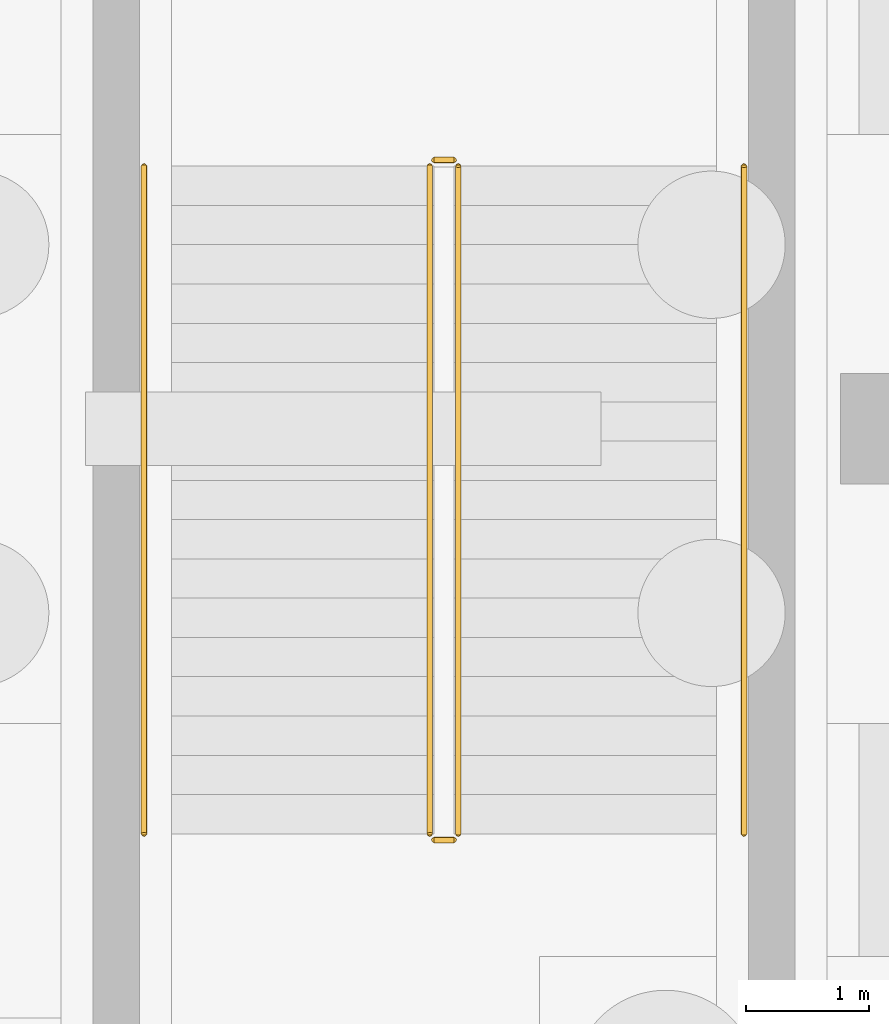
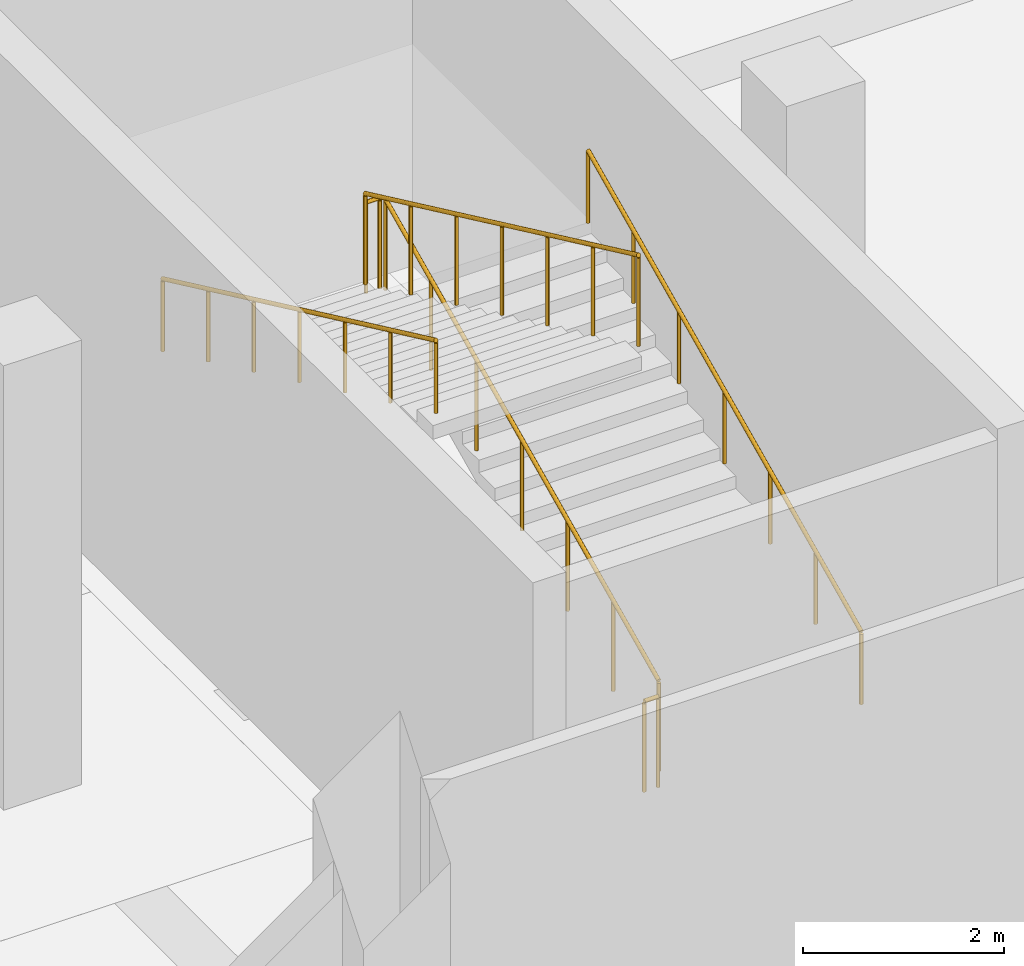
# One storey, part 33 of 39: 6 railings.
"""IFC4 building model written with IfcOpenShell, lengths in metres."""

from ifc_helpers import new_model, si_unit, direction, frame, origin, origin_2d, place, context, subcontext, project, spatial, circle, extrude, material, layer, layer_set, type_object, element, save


model = new_model("IFC4")

# Units and contexts
model_context = context("Model", 3, precision=1e-05, world=origin(), true_north=direction((0.0, 1.0)))
body_context = subcontext(model_context, "Body", "Model", "MODEL_VIEW")
ifc_project = project(units=[si_unit("LENGTHUNIT", "METRE"), si_unit("AREAUNIT", "SQUARE_METRE"), si_unit("VOLUMEUNIT", "CUBIC_METRE"), si_unit("PLANEANGLEUNIT", "RADIAN"), si_unit("MASSUNIT", "GRAM", prefix="KILO")], contexts=[model_context])

# Site, building, storey
site_placement = place(None, origin())
site = spatial("IfcSite", under=ifc_project, at=site_placement, CompositionType="ELEMENT")
building_placement = place(site_placement, origin())
building = spatial("IfcBuilding", under=site, at=building_placement, Name="Celestram Park Convention Centre", CompositionType="ELEMENT")
storey_placement = place(building_placement, frame((0.0, 0.0, -5.39990234375)))
storey = spatial("IfcBuildingStorey", under=building, at=storey_placement, Name="B1", CompositionType="ELEMENT", Elevation=-5.39990234375)

# Railings
ifc_material_1 = material(Name="Stainless Steel AISI 316L & Laminated Glass", Category="steel")
ifc_layer_1 = layer(ifc_material_1, 0.06005859375)
ifc_layer_set_1 = layer_set([ifc_layer_1], Name="Stainless Steel AISI 316L & Laminated Glass")
railing_type_1 = type_object("IfcRailingType", Name="ARC-RL-GRD1120", PredefinedType="GUARDRAIL", material=ifc_layer_set_1)
railing_1_placement = place(storey_placement, frame((104.43603515625, 111.89990234375, 0.14990234375)))
element("IfcRailing", 1, at=railing_1_placement, inside=storey, type_object=railing_type_1, Name="B1 ST-03 stair guard 1", PredefinedType="GUARDRAIL", context=body_context, shape_type="SweptSolid", body=[
    extrude(circle(Radius=0.02392578125, at=origin_2d()), frame((0.0, 0.0, 1.09619140625), z_axis=(0.0, 0.905461375974, 0.424428670827), x_axis=(-1.0, 0.0, 0.0)), (0.0, 0.0, 1.0), 6.00830078125),
    extrude(circle(Radius=0.02099609375, at=origin_2d()), origin(), (0.0, 0.0, 1.0), 1.072021484375),
    extrude(circle(Radius=0.02099609375, at=origin_2d()), frame((0.0, 0.90673828125, 0.425048828125)), (0.0, 0.0, 1.0), 1.072021484375),
    extrude(circle(Radius=0.02099609375, at=origin_2d()), frame((0.0, 1.8134765625, 0.85009765625)), (0.0, 0.0, 1.0), 1.072021484375),
    extrude(circle(Radius=0.02099609375, at=origin_2d()), frame((0.0, 2.72021484375, 1.27490234375)), (0.0, 0.0, 1.0), 1.072021484375),
    extrude(circle(Radius=0.02099609375, at=origin_2d()), frame((0.0, 3.626708984375, 1.699951171875)), (0.0, 0.0, 1.0), 1.072021484375),
    extrude(circle(Radius=0.02099609375, at=origin_2d()), frame((0.0, 4.533447265625, 2.125)), (0.0, 0.0, 1.0), 1.072021484375),
    extrude(circle(Radius=0.02099609375, at=origin_2d()), frame((0.0, 5.440185546875, 2.550048828125)), (0.0, 0.0, 1.0), 1.072021484375),
])
railing_2_placement = place(storey_placement, frame((104.39990234375, 117.389892578125, 2.699951171875)))
element("IfcRailing", 2, at=railing_2_placement, inside=storey, type_object=railing_type_1, Name="B1 ST-03 stair guard 2", PredefinedType="GUARDRAIL", context=body_context, shape_type="SweptSolid", body=[
    extrude(circle(Radius=0.02392578125, at=origin_2d()), frame((0.0, 0.0, 1.09619140625), z_axis=(-1.0, 0.0, 0.0), x_axis=(0.0, -1.0, 0.0)), (0.0, 0.0, 1.0), 0.159912109375),
    extrude(circle(Radius=0.02099609375, at=origin_2d()), origin(), (0.0, 0.0, 1.0), 1.072021484375),
    extrude(circle(Radius=0.02099609375, at=origin_2d()), frame((-0.159912109375, 0.0, 0.0)), (0.0, 0.0, 1.0), 1.072021484375),
])
railing_3_placement = place(storey_placement, frame((104.2041015625, 117.340087890625, 2.849853515625)))
element("IfcRailing", 3, at=railing_3_placement, inside=storey, type_object=railing_type_1, Name="B1 ST-03 stair guard 3", PredefinedType="GUARDRAIL", context=body_context, shape_type="SweptSolid", body=[
    extrude(circle(Radius=0.02392578125, at=origin_2d()), frame((0.0, 0.0, 1.09619140625), z_axis=(0.0, -0.905461375974, 0.424428670827), x_axis=(1.0, 0.0, 0.0)), (0.0, 0.0, 1.0), 6.00830078125),
    extrude(circle(Radius=0.02099609375, at=origin_2d()), origin(), (0.0, 0.0, 1.0), 1.072021484375),
    extrude(circle(Radius=0.02099609375, at=origin_2d()), frame((0.0, -0.90673828125, 0.425048828125)), (0.0, 0.0, 1.0), 1.072021484375),
    extrude(circle(Radius=0.02099609375, at=origin_2d()), frame((0.0, -1.8134765625, 0.85009765625)), (0.0, 0.0, 1.0), 1.072021484375),
    extrude(circle(Radius=0.02099609375, at=origin_2d()), frame((0.0, -2.72021484375, 1.27490234375)), (0.0, 0.0, 1.0), 1.072021484375),
    extrude(circle(Radius=0.02099609375, at=origin_2d()), frame((0.0, -3.626708984375, 1.699951171875)), (0.0, 0.0, 1.0), 1.072021484375),
    extrude(circle(Radius=0.02099609375, at=origin_2d()), frame((0.0, -4.533447265625, 2.125)), (0.0, 0.0, 1.0), 1.072021484375),
    extrude(circle(Radius=0.02099609375, at=origin_2d()), frame((0.0, -5.440185546875, 2.550048828125)), (0.0, 0.0, 1.0), 1.072021484375),
])
railing_4_placement = place(storey_placement, frame((104.39990234375, 111.85009765625, 0.0)))
element("IfcRailing", 4, at=railing_4_placement, inside=storey, type_object=railing_type_1, Name="B1 ST-03 stair guard 4", PredefinedType="GUARDRAIL", context=body_context, shape_type="SweptSolid", body=[
    extrude(circle(Radius=0.02392578125, at=origin_2d()), frame((0.0, 0.0, 1.09619140625), z_axis=(-1.0, 0.0, 0.0), x_axis=(0.0, -1.0, 0.0)), (0.0, 0.0, 1.0), 0.159912109375),
    extrude(circle(Radius=0.02099609375, at=origin_2d()), origin(), (0.0, 0.0, 1.0), 1.072021484375),
    extrude(circle(Radius=0.02099609375, at=origin_2d()), frame((-0.159912109375, 0.0, 0.0)), (0.0, 0.0, 1.0), 1.072021484375),
])
ifc_material_2 = material(Name="Brushed Stainless Steel AISI 304", Category="steel")
ifc_layer_2 = layer(ifc_material_2, 0.048095703125)
ifc_layer_set_2 = layer_set([ifc_layer_2], Name="Brushed Stainless Steel AISI 304")
railing_type_2 = type_object("IfcRailingType", Name="ARC-RL-HND915", PredefinedType="HANDRAIL", material=ifc_layer_set_2)
railing_5_placement = place(storey_placement, frame((106.763916015625, 111.89990234375, 0.14990234375)))
element("IfcRailing", 5, at=railing_5_placement, inside=storey, type_object=railing_type_2, Name="B1 ST-03 stair handrail 1", PredefinedType="HANDRAIL", context=body_context, shape_type="SweptSolid", body=[
    extrude(circle(Radius=0.02392578125, at=origin_2d()), frame((0.0, 0.0, 0.8759765625), z_axis=(0.0, 0.905461375974, 0.424428670827), x_axis=(-1.0, 0.0, 0.0)), (0.0, 0.0, 1.0), 6.00830078125),
    extrude(circle(Radius=0.02099609375, at=origin_2d()), origin(), (0.0, 0.0, 1.0), 0.851806640625),
    extrude(circle(Radius=0.02099609375, at=origin_2d()), frame((0.0, 0.90673828125, 0.425048828125)), (0.0, 0.0, 1.0), 0.851806640625),
    extrude(circle(Radius=0.02099609375, at=origin_2d()), frame((0.0, 1.8134765625, 0.85009765625)), (0.0, 0.0, 1.0), 0.851806640625),
    extrude(circle(Radius=0.02099609375, at=origin_2d()), frame((0.0, 2.72021484375, 1.27490234375)), (0.0, 0.0, 1.0), 0.851806640625),
    extrude(circle(Radius=0.02099609375, at=origin_2d()), frame((0.0, 3.626708984375, 1.699951171875)), (0.0, 0.0, 1.0), 0.851806640625),
    extrude(circle(Radius=0.02099609375, at=origin_2d()), frame((0.0, 4.533447265625, 2.125)), (0.0, 0.0, 1.0), 0.851806640625),
    extrude(circle(Radius=0.02099609375, at=origin_2d()), frame((0.0, 5.440185546875, 2.550048828125)), (0.0, 0.0, 1.0), 0.851806640625),
])
railing_6_placement = place(storey_placement, frame((101.8759765625, 117.340087890625, 2.849853515625)))
element("IfcRailing", 6, at=railing_6_placement, inside=storey, type_object=railing_type_2, Name="B1 ST-03 stair handrail 2", PredefinedType="HANDRAIL", context=body_context, shape_type="SweptSolid", body=[
    extrude(circle(Radius=0.02392578125, at=origin_2d()), frame((0.0, 0.0, 0.8759765625), z_axis=(0.0, -0.905461375974, 0.424428670827), x_axis=(1.0, 0.0, 0.0)), (0.0, 0.0, 1.0), 6.00830078125),
    extrude(circle(Radius=0.02099609375, at=origin_2d()), origin(), (0.0, 0.0, 1.0), 0.851806640625),
    extrude(circle(Radius=0.02099609375, at=origin_2d()), frame((0.0, -0.90673828125, 0.425048828125)), (0.0, 0.0, 1.0), 0.851806640625),
    extrude(circle(Radius=0.02099609375, at=origin_2d()), frame((0.0, -1.8134765625, 0.85009765625)), (0.0, 0.0, 1.0), 0.851806640625),
    extrude(circle(Radius=0.02099609375, at=origin_2d()), frame((0.0, -2.72021484375, 1.27490234375)), (0.0, 0.0, 1.0), 0.851806640625),
    extrude(circle(Radius=0.02099609375, at=origin_2d()), frame((0.0, -3.626708984375, 1.699951171875)), (0.0, 0.0, 1.0), 0.851806640625),
    extrude(circle(Radius=0.02099609375, at=origin_2d()), frame((0.0, -4.533447265625, 2.125)), (0.0, 0.0, 1.0), 0.851806640625),
    extrude(circle(Radius=0.02099609375, at=origin_2d()), frame((0.0, -5.440185546875, 2.550048828125)), (0.0, 0.0, 1.0), 0.851806640625),
])

save(model, "model.ifc")
